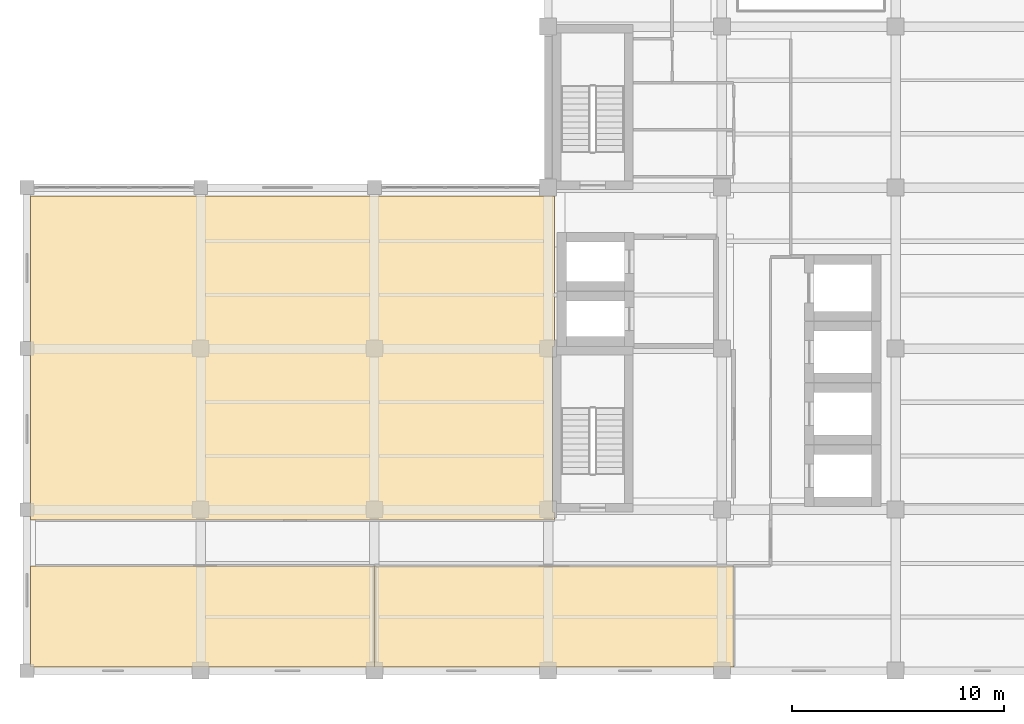
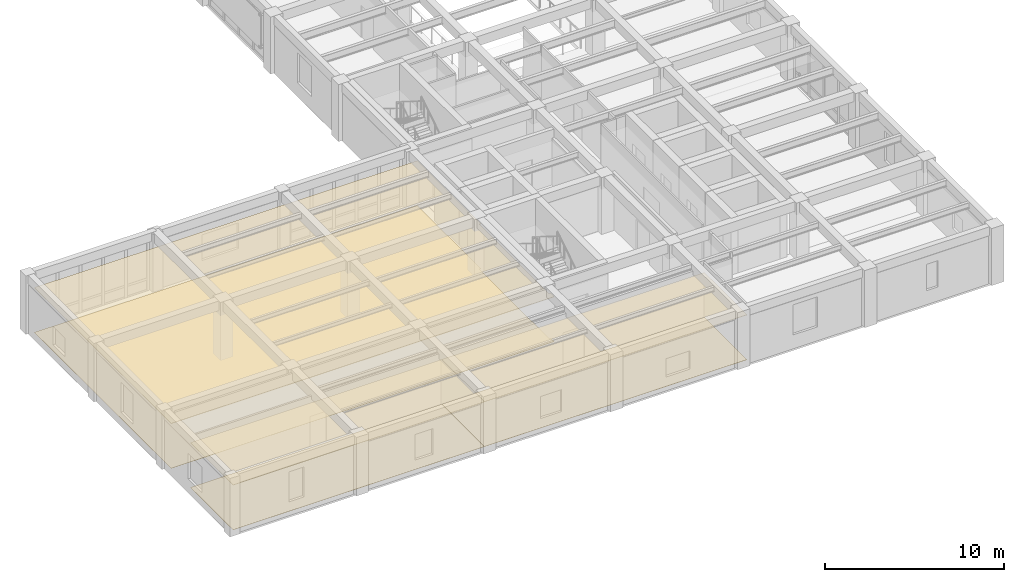
# One storey, part 11 of 15: 6 coverings.
"""IFC4 building model written with IfcOpenShell, lengths in metres."""

from ifc_helpers import new_model, si_unit, direction, frame, origin, place, context, subcontext, project, spatial, polyline, outline, extrude, material, layer, layer_set, type_object, element, save


model = new_model("IFC4")

# Units and contexts
model_context = context("Model", 3, precision=1e-05, world=origin(), true_north=direction((0.0, 1.0)))
body_context = subcontext(model_context, "Body", "Model", "MODEL_VIEW")
ifc_project = project(units=[si_unit("LENGTHUNIT", "METRE"), si_unit("AREAUNIT", "SQUARE_METRE"), si_unit("VOLUMEUNIT", "CUBIC_METRE"), si_unit("PLANEANGLEUNIT", "RADIAN"), si_unit("MASSUNIT", "GRAM", prefix="KILO")], contexts=[model_context])

# Site, building, storey
site_placement = place(None, origin())
site = spatial("IfcSite", under=ifc_project, at=site_placement, CompositionType="ELEMENT")
building_placement = place(site_placement, origin())
building = spatial("IfcBuilding", under=site, at=building_placement, Name="Qandaris Square Conservatory and Botanical Centre", CompositionType="ELEMENT")
storey_placement = place(building_placement, frame((0.0, 0.0, 32.39990234375)))
storey = spatial("IfcBuildingStorey", under=building, at=storey_placement, Name="L07", CompositionType="ELEMENT", Elevation=32.39990234375)

# Coverings
ifc_material_1 = material(Name="Gypsum Plasterboard", Category="gypsum")
ifc_layer_1 = layer(ifc_material_1, 0.02490234375)
ifc_layer_set_1 = layer_set([ifc_layer_1], Name="Gypsum Plasterboard")
covering_type_1 = type_object("IfcCoveringType", Name="Perforated Acoustic Lab Ceiling Tile", PredefinedType="CEILING", material=ifc_layer_set_1)
covering_1_placement = place(storey_placement, frame((0.0, 0.0, 3.050048828125)))
element("IfcCovering", 1, at=covering_1_placement, inside=storey, type_object=covering_type_1, Name="Canopy Microclimate Research Laboratory Ceiling", PredefinedType="CEILING", context=body_context, shape_type="SweptSolid", body=[
    extrude(outline(polyline([(115.0, 21.550048828125), (131.0, 21.550048828125), (131.0, 16.780029296875), (114.780029296875, 16.780029296875), (114.780029296875, 21.550048828125), (115.0, 21.550048828125)])), origin(), (0.0, 0.0, 1.0), 0.025146484375),
])
covering_2_placement = place(storey_placement, frame((0.0, 0.0, 3.050048828125)))
element("IfcCovering", 2, at=covering_2_placement, inside=storey, type_object=covering_type_1, Name="Isotope Biogeochemistry Suite Ceiling", PredefinedType="CEILING", context=body_context, shape_type="SweptSolid", body=[
    extrude(outline(polyline([(147.949951171875, 21.550048828125), (147.949951171875, 16.780029296875), (131.0, 16.780029296875), (131.0, 21.550048828125), (147.949951171875, 21.550048828125)])), origin(), (0.0, 0.0, 1.0), 0.025146484375),
])
covering_3_placement = place(storey_placement, frame((0.0, 0.0, 3.050048828125)))
element("IfcCovering", 3, at=covering_3_placement, inside=storey, type_object=covering_type_1, Name="Bioinformatics Research Laboratory Ceiling", PredefinedType="CEILING", context=body_context, shape_type="SweptSolid", body=[
    extrude(outline(polyline([(139.5, 31.89990234375), (139.39990234375, 31.89990234375), (139.39990234375, 24.10009765625), (139.5, 24.10009765625), (139.5, 23.699951171875), (115.0, 23.699951171875), (114.780029296875, 23.699951171875), (114.780029296875, 39.0), (139.5, 39.0), (139.5, 31.89990234375)])), origin(), (0.0, 0.0, 1.0), 0.025146484375),
])
ifc_material_2 = material(Name="Epoxy Resin Screed", Category="finish")
ifc_layer_2 = layer(ifc_material_2, 0.014892578125)
ifc_layer_set_2 = layer_set([ifc_layer_2], Name="Epoxy Resin Screed")
covering_type_2 = type_object("IfcCoveringType", Name="Seamless Epoxy Laboratory Flooring", PredefinedType="FLOORING", material=ifc_layer_set_2)
covering_4_placement = place(storey_placement, origin())
element("IfcCovering", 4, at=covering_4_placement, inside=storey, type_object=covering_type_2, Name="Canopy Microclimate Research Laboratory Flooring", PredefinedType="FLOORING", context=body_context, shape_type="SweptSolid", body=[
    extrude(outline(polyline([(115.0, 21.550048828125), (131.0, 21.550048828125), (131.0, 16.780029296875), (114.780029296875, 16.780029296875), (114.780029296875, 21.550048828125), (115.0, 21.550048828125)])), origin(), (0.0, 0.0, 1.0), 0.01513671875),
])
covering_5_placement = place(storey_placement, origin())
element("IfcCovering", 5, at=covering_5_placement, inside=storey, type_object=covering_type_2, Name="Isotope Biogeochemistry Suite Flooring", PredefinedType="FLOORING", context=body_context, shape_type="SweptSolid", body=[
    extrude(outline(polyline([(147.949951171875, 21.550048828125), (147.949951171875, 16.780029296875), (131.0, 16.780029296875), (131.0, 21.550048828125), (147.949951171875, 21.550048828125)])), origin(), (0.0, 0.0, 1.0), 0.01513671875),
])
covering_6_placement = place(storey_placement, origin())
element("IfcCovering", 6, at=covering_6_placement, inside=storey, type_object=covering_type_2, Name="Bioinformatics Research Laboratory Flooring", PredefinedType="FLOORING", context=body_context, shape_type="SweptSolid", body=[
    extrude(outline(polyline([(139.5, 31.89990234375), (139.39990234375, 31.89990234375), (139.39990234375, 24.10009765625), (139.5, 24.10009765625), (139.5, 23.699951171875), (115.0, 23.699951171875), (114.780029296875, 23.699951171875), (114.780029296875, 39.0), (139.5, 39.0), (139.5, 31.89990234375)])), origin(), (0.0, 0.0, 1.0), 0.01513671875),
])

save(model, "model.ifc")
